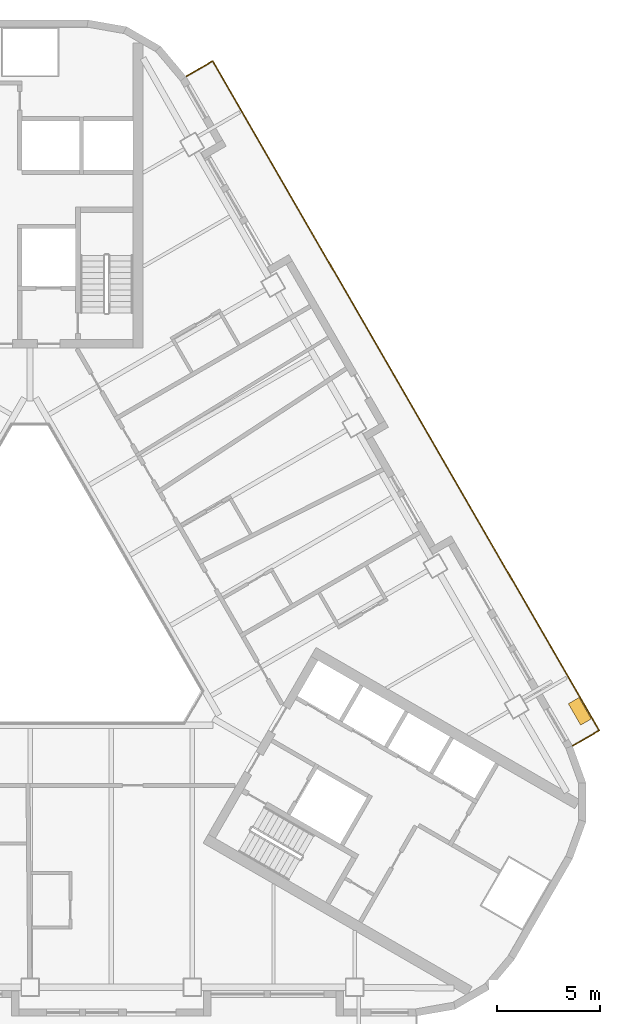
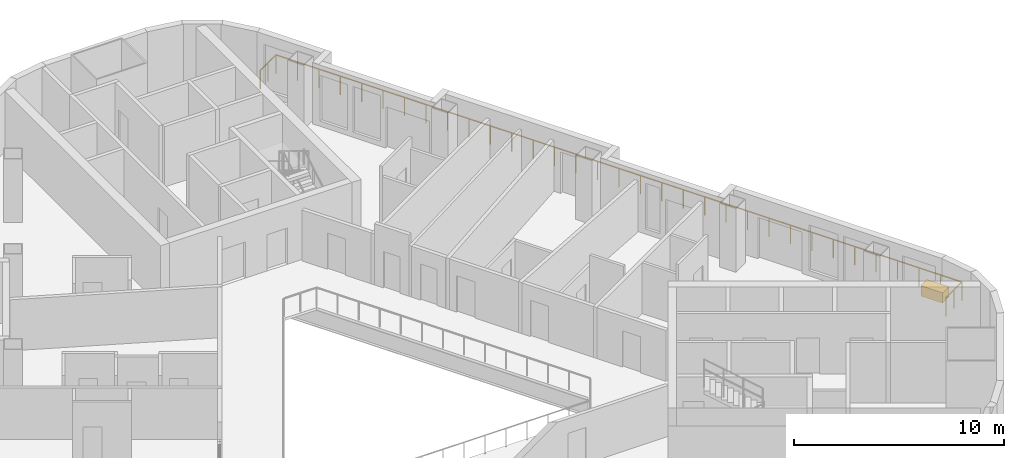
# One storey, part 13 of 14: 1 covering, 1 railing.
"""IFC4 building model written with IfcOpenShell, lengths in metres."""

from ifc_helpers import new_model, si_unit, direction, frame, origin, origin_2d, place, context, subcontext, project, spatial, rectangle, extrude, material, type_object, element, save


model = new_model("IFC4")

# Units and contexts
model_context = context("Model", 3, precision=1e-05, world=origin(), true_north=direction((0.0, 1.0)))
body_context = subcontext(model_context, "Body", "Model", "MODEL_VIEW")
ifc_project = project(units=[si_unit("LENGTHUNIT", "METRE"), si_unit("AREAUNIT", "SQUARE_METRE"), si_unit("VOLUMEUNIT", "CUBIC_METRE"), si_unit("PLANEANGLEUNIT", "RADIAN"), si_unit("MASSUNIT", "GRAM", prefix="KILO")], contexts=[model_context])

# Site, building, storey
site_placement = place(None, origin())
site = spatial("IfcSite", under=ifc_project, at=site_placement, CompositionType="ELEMENT")
building_placement = place(site_placement, origin())
building = spatial("IfcBuilding", under=site, at=building_placement, Name="Apuvela Tower Hotel", CompositionType="ELEMENT")
storey_placement = place(building_placement, frame((0.0, 0.0, 116.800048828125)))
storey = spatial("IfcBuildingStorey", under=building, at=storey_placement, Name="L27", CompositionType="ELEMENT", Elevation=116.800048828125)

# Railing
ifc_material_1 = material(Name="Stainless steel 316 rail with laminated glass infill", Category="steel")
railing_type = type_object("IfcRailingType", Name="ENV-GUARD-1100", PredefinedType="GUARDRAIL", material=ifc_material_1)
railing_placement = place(storey_placement, frame((26.407958984375, -6.47998046875, 0.0)))
element("IfcRailing", 1, at=railing_placement, inside=storey, type_object=railing_type, Name="Balcony guard NE L27", PredefinedType="GUARDRAIL", context=body_context, shape_type="SweptSolid", body=[
    extrude(rectangle(XDim=0.050048828125, YDim=0.050048828125, at=origin_2d()), frame((0.0, 0.0, 1.0751953125), z_axis=(0.866031096941, 0.499990139034, 0.0), x_axis=(-0.499990139034, 0.866031096941, 0.0)), (0.0, 0.0, 1.0), 1.5),
    extrude(rectangle(XDim=0.050048828125, YDim=0.050048828125, at=origin_2d()), frame((1.299072265625, 0.75, 1.0751953125), z_axis=(-0.500000437506, 0.86602515119, 0.0), x_axis=(-0.86602515119, -0.500000437506, 0.0)), (0.0, 0.0, 1.0), 37.6318359375),
    extrude(rectangle(XDim=0.050048828125, YDim=0.050048828125, at=origin_2d()), frame((-17.516845703125, 33.340087890625, 1.0751953125), z_axis=(-0.86599040064, -0.500060622324, 0.0), x_axis=(0.500060622324, -0.86599040064, 0.0)), (0.0, 0.0, 1.0), 1.499755859375),
    extrude(rectangle(XDim=0.0400390625, YDim=0.0400390625, at=origin_2d()), origin(), (0.0, 0.0, 1.0), 1.050048828125),
    extrude(rectangle(XDim=0.0400390625, YDim=0.0400390625, at=origin_2d()), frame((0.6494140625, 0.375, 0.0)), (0.0, 0.0, 1.0), 1.050048828125),
    extrude(rectangle(XDim=0.0400390625, YDim=0.0400390625, at=origin_2d()), frame((1.299072265625, 0.75, 0.0)), (0.0, 0.0, 1.0), 1.050048828125),
    extrude(rectangle(XDim=0.0400390625, YDim=0.0400390625, at=origin_2d()), frame((0.711181640625, 1.7685546875, 0.0)), (0.0, 0.0, 1.0), 1.050048828125),
    extrude(rectangle(XDim=0.0400390625, YDim=0.0400390625, at=origin_2d()), frame((0.123046875, 2.786865234375, 0.0)), (0.0, 0.0, 1.0), 1.050048828125),
    extrude(rectangle(XDim=0.0400390625, YDim=0.0400390625, at=origin_2d()), frame((-0.46484375, 3.805419921875, 0.0)), (0.0, 0.0, 1.0), 1.050048828125),
    extrude(rectangle(XDim=0.0400390625, YDim=0.0400390625, at=origin_2d()), frame((-1.052978515625, 4.82373046875, 0.0)), (0.0, 0.0, 1.0), 1.050048828125),
    extrude(rectangle(XDim=0.0400390625, YDim=0.0400390625, at=origin_2d()), frame((-1.640869140625, 5.84228515625, 0.0)), (0.0, 0.0, 1.0), 1.050048828125),
    extrude(rectangle(XDim=0.0400390625, YDim=0.0400390625, at=origin_2d()), frame((-2.22900390625, 6.860595703125, 0.0)), (0.0, 0.0, 1.0), 1.050048828125),
    extrude(rectangle(XDim=0.0400390625, YDim=0.0400390625, at=origin_2d()), frame((-2.81689453125, 7.879150390625, 0.0)), (0.0, 0.0, 1.0), 1.050048828125),
    extrude(rectangle(XDim=0.0400390625, YDim=0.0400390625, at=origin_2d()), frame((-3.40478515625, 8.8974609375, 0.0)), (0.0, 0.0, 1.0), 1.050048828125),
    extrude(rectangle(XDim=0.0400390625, YDim=0.0400390625, at=origin_2d()), frame((-3.992919921875, 9.916015625, 0.0)), (0.0, 0.0, 1.0), 1.050048828125),
    extrude(rectangle(XDim=0.0400390625, YDim=0.0400390625, at=origin_2d()), frame((-4.580810546875, 10.934326171875, 0.0)), (0.0, 0.0, 1.0), 1.050048828125),
    extrude(rectangle(XDim=0.0400390625, YDim=0.0400390625, at=origin_2d()), frame((-5.1689453125, 11.952880859375, 0.0)), (0.0, 0.0, 1.0), 1.050048828125),
    extrude(rectangle(XDim=0.0400390625, YDim=0.0400390625, at=origin_2d()), frame((-5.7568359375, 12.97119140625, 0.0)), (0.0, 0.0, 1.0), 1.050048828125),
    extrude(rectangle(XDim=0.0400390625, YDim=0.0400390625, at=origin_2d()), frame((-6.344970703125, 13.98974609375, 0.0)), (0.0, 0.0, 1.0), 1.050048828125),
    extrude(rectangle(XDim=0.0400390625, YDim=0.0400390625, at=origin_2d()), frame((-6.932861328125, 15.008056640625, 0.0)), (0.0, 0.0, 1.0), 1.050048828125),
    extrude(rectangle(XDim=0.0400390625, YDim=0.0400390625, at=origin_2d()), frame((-7.52099609375, 16.026611328125, 0.0)), (0.0, 0.0, 1.0), 1.050048828125),
    extrude(rectangle(XDim=0.0400390625, YDim=0.0400390625, at=origin_2d()), frame((-8.10888671875, 17.044921875, 0.0)), (0.0, 0.0, 1.0), 1.050048828125),
    extrude(rectangle(XDim=0.0400390625, YDim=0.0400390625, at=origin_2d()), frame((-8.69677734375, 18.0634765625, 0.0)), (0.0, 0.0, 1.0), 1.050048828125),
    extrude(rectangle(XDim=0.0400390625, YDim=0.0400390625, at=origin_2d()), frame((-9.284912109375, 19.08203125, 0.0)), (0.0, 0.0, 1.0), 1.050048828125),
    extrude(rectangle(XDim=0.0400390625, YDim=0.0400390625, at=origin_2d()), frame((-9.872802734375, 20.100341796875, 0.0)), (0.0, 0.0, 1.0), 1.050048828125),
    extrude(rectangle(XDim=0.0400390625, YDim=0.0400390625, at=origin_2d()), frame((-10.4609375, 21.118896484375, 0.0)), (0.0, 0.0, 1.0), 1.050048828125),
    extrude(rectangle(XDim=0.0400390625, YDim=0.0400390625, at=origin_2d()), frame((-11.048828125, 22.13720703125, 0.0)), (0.0, 0.0, 1.0), 1.050048828125),
    extrude(rectangle(XDim=0.0400390625, YDim=0.0400390625, at=origin_2d()), frame((-11.636962890625, 23.15576171875, 0.0)), (0.0, 0.0, 1.0), 1.050048828125),
    extrude(rectangle(XDim=0.0400390625, YDim=0.0400390625, at=origin_2d()), frame((-12.224853515625, 24.174072265625, 0.0)), (0.0, 0.0, 1.0), 1.050048828125),
    extrude(rectangle(XDim=0.0400390625, YDim=0.0400390625, at=origin_2d()), frame((-12.81298828125, 25.192626953125, 0.0)), (0.0, 0.0, 1.0), 1.050048828125),
    extrude(rectangle(XDim=0.0400390625, YDim=0.0400390625, at=origin_2d()), frame((-13.40087890625, 26.2109375, 0.0)), (0.0, 0.0, 1.0), 1.050048828125),
    extrude(rectangle(XDim=0.0400390625, YDim=0.0400390625, at=origin_2d()), frame((-13.98876953125, 27.2294921875, 0.0)), (0.0, 0.0, 1.0), 1.050048828125),
    extrude(rectangle(XDim=0.0400390625, YDim=0.0400390625, at=origin_2d()), frame((-14.576904296875, 28.247802734375, 0.0)), (0.0, 0.0, 1.0), 1.050048828125),
    extrude(rectangle(XDim=0.0400390625, YDim=0.0400390625, at=origin_2d()), frame((-15.164794921875, 29.266357421875, 0.0)), (0.0, 0.0, 1.0), 1.050048828125),
    extrude(rectangle(XDim=0.0400390625, YDim=0.0400390625, at=origin_2d()), frame((-15.7529296875, 30.28466796875, 0.0)), (0.0, 0.0, 1.0), 1.050048828125),
    extrude(rectangle(XDim=0.0400390625, YDim=0.0400390625, at=origin_2d()), frame((-16.3408203125, 31.30322265625, 0.0)), (0.0, 0.0, 1.0), 1.050048828125),
    extrude(rectangle(XDim=0.0400390625, YDim=0.0400390625, at=origin_2d()), frame((-16.928955078125, 32.321533203125, 0.0)), (0.0, 0.0, 1.0), 1.050048828125),
    extrude(rectangle(XDim=0.0400390625, YDim=0.0400390625, at=origin_2d()), frame((-17.516845703125, 33.340087890625, 0.0)), (0.0, 0.0, 1.0), 1.050048828125),
    extrude(rectangle(XDim=0.0400390625, YDim=0.0400390625, at=origin_2d()), frame((-18.166259765625, 32.965087890625, 0.0)), (0.0, 0.0, 1.0), 1.050048828125),
    extrude(rectangle(XDim=0.0400390625, YDim=0.0400390625, at=origin_2d()), frame((-18.815673828125, 32.590087890625, 0.0)), (0.0, 0.0, 1.0), 1.050048828125),
])

# Covering
ifc_material_2 = material(Name="Planting substrate and soil, planted")
covering_type = type_object("IfcCoveringType", Name="ENV-PLANTER-1200x600", PredefinedType="USERDEFINED", material=ifc_material_2)
covering_placement = place(storey_placement, frame((26.763916015625, -4.79638671875, 0.0), z_axis=(0.0, 0.0, 1.0), x_axis=(-0.5, 0.866025403784, 0.0)))
element("IfcCovering", 2, at=covering_placement, inside=storey, type_object=covering_type, Name="Planter NE3", ObjectType="PLANTER", PredefinedType="USERDEFINED", context=body_context, shape_type="SweptSolid", body=[
    extrude(rectangle(XDim=1.199951171875, YDim=0.60009765625, at=origin_2d()), origin(), (0.0, 0.0, 1.0), 0.60009765625),
])

save(model, "model.ifc")
